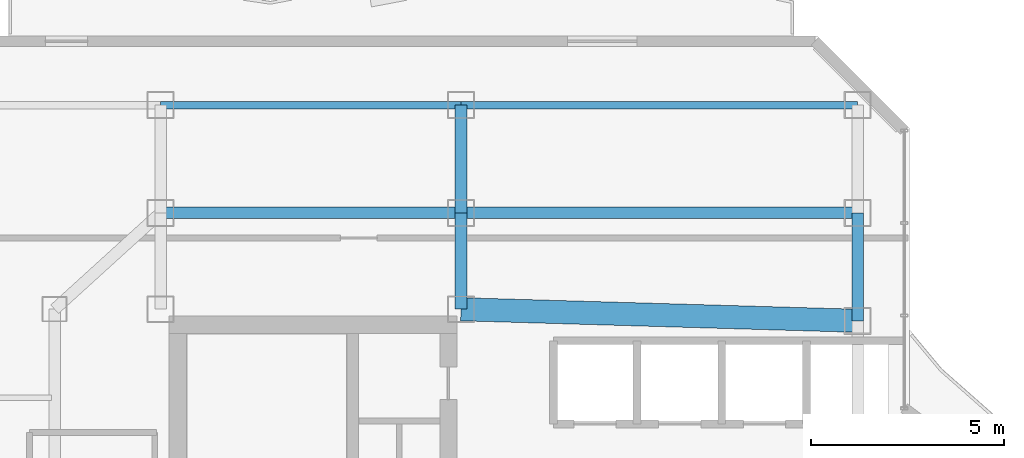
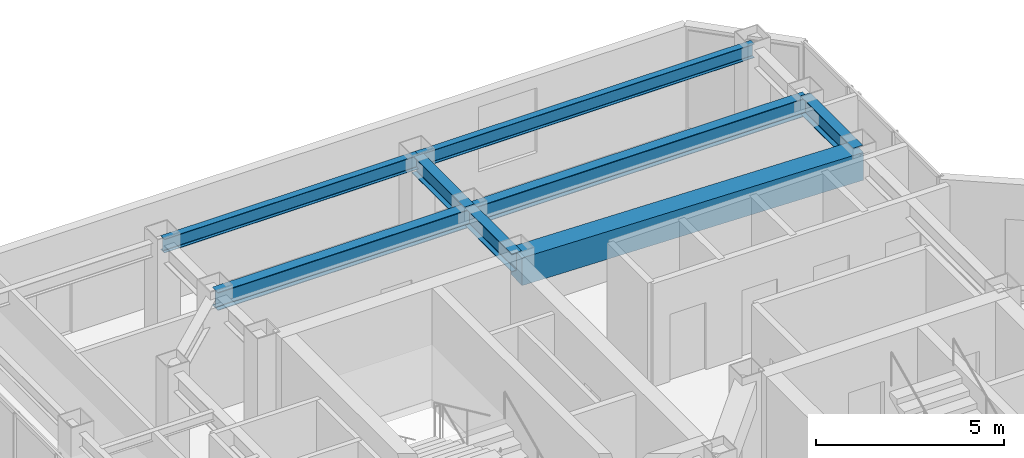
# One storey, part 16 of 25: 8 beams.
"""IFC4 building model written with IfcOpenShell, lengths in metres."""

from ifc_helpers import new_model, si_unit, direction, frame, origin, origin_2d, place, context, subcontext, project, spatial, rectangle, i_section, extrude, material, material_profile, profile_set, type_object, element, save


model = new_model("IFC4")

# Units and contexts
model_context = context("Model", 3, precision=1e-05, world=origin(), true_north=direction((0.0, 1.0)))
body_context = subcontext(model_context, "Body", "Model", "MODEL_VIEW")
ifc_project = project(units=[si_unit("LENGTHUNIT", "METRE"), si_unit("AREAUNIT", "SQUARE_METRE"), si_unit("VOLUMEUNIT", "CUBIC_METRE"), si_unit("PLANEANGLEUNIT", "RADIAN"), si_unit("MASSUNIT", "GRAM", prefix="KILO")], contexts=[model_context])

# Site, building, storey
site_placement = place(None, origin())
site = spatial("IfcSite", under=ifc_project, at=site_placement, CompositionType="ELEMENT")
building_placement = place(site_placement, origin())
building = spatial("IfcBuilding", under=site, at=building_placement, Name="Hatsunagi Terrace Concourse", CompositionType="ELEMENT")
storey_placement = place(building_placement, frame((0.0, 0.0, 220.35009765625)))
storey = spatial("IfcBuildingStorey", under=building, at=storey_placement, Name="L58", CompositionType="ELEMENT", Elevation=220.35009765625)

# Beams
ifc_material_1 = material(Name="Concrete Fc42", Category="concrete")
ifc_material_profile_1 = material_profile(ifc_material_1, rectangle(XDim=0.60009765625, YDim=0.89990234375, at=origin_2d()), Name="RC-600x900")
ifc_profile_set_1 = profile_set([ifc_material_profile_1], Name="Concrete Fc42")
beam_type_1 = type_object("IfcBeamType", Name="CoreCouplingBeam_RC_600x900", PredefinedType="BEAM", material=ifc_profile_set_1)
beam_1_placement = place(storey_placement, frame((33.35009765625, 43.300048828125, 2.89990234375), z_axis=(0.999575947545, -0.029119153303, 0.0), x_axis=(0.029119153303, 0.999575947545, 0.0)))
element("IfcBeam", 1, at=beam_1_placement, inside=storey, type_object=beam_type_1, Name="Beam CB-03 CB-L58-2", PredefinedType="BEAM", context=body_context, shape_type="SweptSolid", body=[
    extrude(rectangle(XDim=0.60009765625, YDim=0.89990234375, at=origin_2d()), origin(), (0.0, 0.0, 1.0), 10.30419921875),
])
ifc_material_2 = material(Name="Steel SN490B", Category="steel")
ifc_material_profile_2 = material_profile(ifc_material_2, i_section(OverallWidth=0.300048828125, OverallDepth=0.587890625, WebThickness=0.011962890625, FlangeThickness=0.02001953125, FilletRadius=0.01806640625, at=origin_2d()), Name="H-588x300x12x20")
ifc_profile_set_2 = profile_set([ifc_material_profile_2], Name="Steel SN490B")
beam_type_2 = type_object("IfcBeamType", Name="OfficeHighGirder_H_588x300", PredefinedType="BEAM", material=ifc_profile_set_2)
beam_2_placement = place(storey_placement, frame((33.35009765625, 43.300048828125, 3.055908203125), z_axis=(0.0, 1.0, 0.0), x_axis=(-1.0, 0.0, 0.0)))
element("IfcBeam", 2, at=beam_2_placement, inside=storey, type_object=beam_type_2, Name="Beam G-06 BM-L58-CN2", PredefinedType="BEAM", context=body_context, shape_type="SweptSolid", body=[
    extrude(i_section(OverallWidth=0.300048828125, OverallDepth=0.587890625, WebThickness=0.011962890625, FlangeThickness=0.02001953125, FilletRadius=0.01806640625, at=origin_2d()), origin(), (0.0, 0.0, 1.0), 2.5),
])
beam_3_placement = place(storey_placement, frame((43.64990234375, 43.0, 3.055908203125), z_axis=(0.0, 1.0, 0.0), x_axis=(-1.0, 0.0, 0.0)))
element("IfcBeam", 3, at=beam_3_placement, inside=storey, type_object=beam_type_2, Name="Beam G-06 BM-L58-CN3", PredefinedType="BEAM", context=body_context, shape_type="SweptSolid", body=[
    extrude(i_section(OverallWidth=0.300048828125, OverallDepth=0.587890625, WebThickness=0.011962890625, FlangeThickness=0.02001953125, FilletRadius=0.01806640625, at=origin_2d()), origin(), (0.0, 0.0, 1.0), 2.800048828125),
])
beam_4_placement = place(storey_placement, frame((25.550048828125, 45.800048828125, 3.055908203125), z_axis=(1.0, 0.0, 0.0), x_axis=(0.0, 1.0, 0.0)))
element("IfcBeam", 4, at=beam_4_placement, inside=storey, type_object=beam_type_2, Name="Beam G-06 BM-L58-CNEW1", PredefinedType="BEAM", context=body_context, shape_type="SweptSolid", body=[
    extrude(i_section(OverallWidth=0.300048828125, OverallDepth=0.587890625, WebThickness=0.011962890625, FlangeThickness=0.02001953125, FilletRadius=0.01806640625, at=origin_2d()), origin(), (0.0, 0.0, 1.0), 7.800048828125),
])
beam_5_placement = place(storey_placement, frame((33.35009765625, 45.800048828125, 3.055908203125), z_axis=(1.0, 0.0, 0.0), x_axis=(0.0, 1.0, 0.0)))
element("IfcBeam", 5, at=beam_5_placement, inside=storey, type_object=beam_type_2, Name="Beam G-06 BM-L58-CNEW2", PredefinedType="BEAM", context=body_context, shape_type="SweptSolid", body=[
    extrude(i_section(OverallWidth=0.300048828125, OverallDepth=0.587890625, WebThickness=0.011962890625, FlangeThickness=0.02001953125, FilletRadius=0.01806640625, at=origin_2d()), origin(), (0.0, 0.0, 1.0), 10.2998046875),
])
beam_6_placement = place(storey_placement, frame((33.35009765625, 45.800048828125, 3.055908203125), z_axis=(0.0, 1.0, 0.0), x_axis=(-1.0, 0.0, 0.0)))
element("IfcBeam", 6, at=beam_6_placement, inside=storey, type_object=beam_type_2, Name="Beam G-06 BM-L58-KN-WN5", PredefinedType="BEAM", context=body_context, shape_type="SweptSolid", body=[
    extrude(i_section(OverallWidth=0.300048828125, OverallDepth=0.587890625, WebThickness=0.011962890625, FlangeThickness=0.02001953125, FilletRadius=0.01806640625, at=origin_2d()), origin(), (0.0, 0.0, 1.0), 2.800048828125),
])
ifc_material_3 = material(Name="Steel SN490B", Category="steel")
ifc_material_profile_3 = material_profile(ifc_material_3, i_section(OverallWidth=0.199951171875, OverallDepth=0.449951171875, WebThickness=0.009033203125, FlangeThickness=0.013916015625, FilletRadius=0.01611328125, at=origin_2d()), Name="H-450x200x9x14")
ifc_profile_set_3 = profile_set([ifc_material_profile_3], Name="Steel SN490B")
beam_type_3 = type_object("IfcBeamType", Name="PerimeterSpandrel_H_450x200", PredefinedType="SPANDREL", material=ifc_profile_set_3)
beam_7_placement = place(storey_placement, frame((25.550048828125, 48.60009765625, 3.125), z_axis=(1.0, 0.0, 0.0), x_axis=(0.0, 1.0, 0.0)))
element("IfcBeam", 7, at=beam_7_placement, inside=storey, type_object=beam_type_3, Name="Beam SP-02 BM-L58-WN-25", PredefinedType="SPANDREL", context=body_context, shape_type="SweptSolid", body=[
    extrude(i_section(OverallWidth=0.199951171875, OverallDepth=0.449951171875, WebThickness=0.009033203125, FlangeThickness=0.013916015625, FilletRadius=0.01611328125, at=origin_2d()), origin(), (0.0, 0.0, 1.0), 7.800048828125),
])
beam_8_placement = place(storey_placement, frame((33.35009765625, 48.60009765625, 3.125), z_axis=(1.0, 0.0, 0.0), x_axis=(0.0, 1.0, 0.0)))
element("IfcBeam", 8, at=beam_8_placement, inside=storey, type_object=beam_type_3, Name="Beam SP-02 BM-L58-WN-33", PredefinedType="SPANDREL", context=body_context, shape_type="SweptSolid", body=[
    extrude(i_section(OverallWidth=0.199951171875, OverallDepth=0.449951171875, WebThickness=0.009033203125, FlangeThickness=0.013916015625, FilletRadius=0.01611328125, at=origin_2d()), origin(), (0.0, 0.0, 1.0), 10.2998046875),
])

save(model, "model.ifc")
